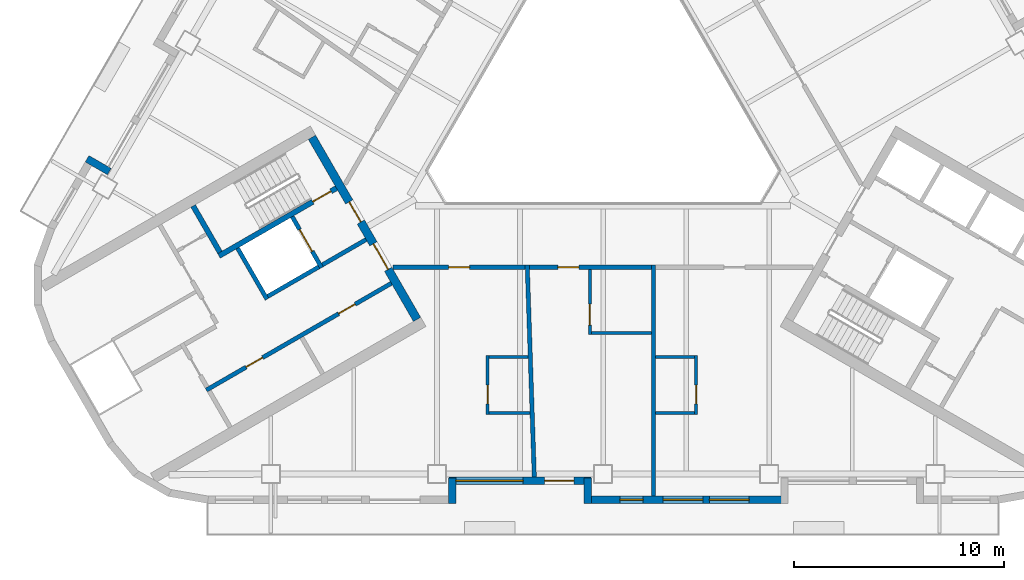
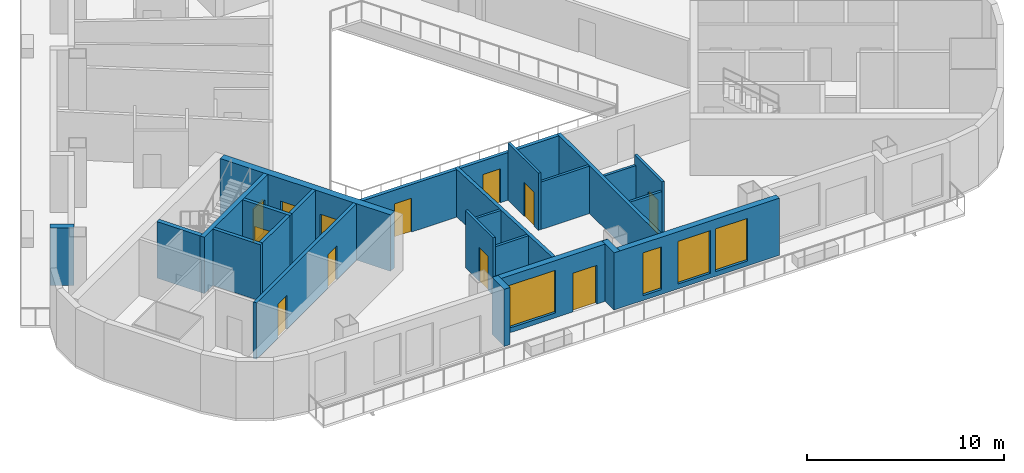
# One storey, part 3 of 13: 25 walls, 12 doors, 4 windows, 16 openings.
"""IFC4 building model written with IfcOpenShell, lengths in metres."""

from ifc_helpers import new_model, si_unit, direction, frame, frame_2d, origin, place, context, subcontext, project, spatial, rectangle, extrude, material, layer, layer_set, type_object, element, fill, save


model = new_model("IFC4")

# Units and contexts
model_context = context("Model", 3, precision=1e-05, world=origin(), true_north=direction((0.0, 1.0)))
body_context = subcontext(model_context, "Body", "Model", "MODEL_VIEW")
ifc_project = project(units=[si_unit("LENGTHUNIT", "METRE"), si_unit("AREAUNIT", "SQUARE_METRE"), si_unit("VOLUMEUNIT", "CUBIC_METRE"), si_unit("PLANEANGLEUNIT", "RADIAN"), si_unit("MASSUNIT", "GRAM", prefix="KILO")], contexts=[model_context])

# Site, building, storey
site_placement = place(None, origin())
site = spatial("IfcSite", under=ifc_project, at=site_placement, CompositionType="ELEMENT")
building_placement = place(site_placement, origin())
building = spatial("IfcBuilding", under=site, at=building_placement, Name="Apuvela Tower Hotel", CompositionType="ELEMENT")
storey_placement = place(building_placement, frame((0.0, 0.0, 94.60009765625)))
storey = spatial("IfcBuildingStorey", under=building, at=storey_placement, Name="L21", CompositionType="ELEMENT", Elevation=94.60009765625)

# Wall, openings, doors
ifc_material_1 = material(Name="Concrete C50/60", Category="concrete")
ifc_layer_1 = layer(ifc_material_1, 0.39990234375)
ifc_layer_set_1 = layer_set([ifc_layer_1], Name="COR-WALL-CORE-400")
wall_type_1 = type_object("IfcWallType", Name="COR-WALL-CORE-400", PredefinedType="SHEAR", material=ifc_layer_set_1)
wall_1_placement = place(storey_placement, frame((-13.844970703125, -2.219970703125, 0.0), z_axis=(0.0, 0.0, 1.0), x_axis=(0.500004234368, -0.866022959057, 0.0)))
wall_1 = element("IfcWall", 1, at=wall_1_placement, inside=storey, type_object=wall_type_1, Name="Core wall SW", PredefinedType="SHEAR", context=body_context, shape_type="SweptSolid", body=[
    extrude(rectangle(XDim=10.0, YDim=0.39990234375, at=frame_2d((5.0, 0.0))), origin(), (0.0, 0.0, 1.0), 3.5),
])
opening_1_placement = place(wall_1_placement, frame((3.550048828125, 0.0, 0.0)))
opening_1 = element("IfcOpeningElement", 2, at=opening_1_placement, cuts=wall_1, Name="Opening W-FD", PredefinedType="OPENING", context=body_context, shape_type="SweptSolid", body=[
    extrude(rectangle(XDim=1.10009765625, YDim=2.10009765625, at=frame_2d((0.550048828125, 1.050048828125))), frame((0.0, 0.2099609375, 0.0), z_axis=(0.0, -1.0, 0.0), x_axis=(1.0, 0.0, 0.0)), (0.0, 0.0, 1.0), 0.419921875),
])
opening_2_placement = place(wall_1_placement, frame((5.85009765625, 0.0, 0.0)))
opening_2 = element("IfcOpeningElement", 3, at=opening_2_placement, cuts=wall_1, Name="Opening W-GD", PredefinedType="OPENING", context=body_context, shape_type="SweptSolid", body=[
    extrude(rectangle(XDim=1.39990234375, YDim=2.10009765625, at=frame_2d((0.699951171875, 1.050048828125))), frame((0.0, 0.2099609375, 0.0), z_axis=(0.0, -1.0, 0.0), x_axis=(1.0, 0.0, 0.0)), (0.0, 0.0, 1.0), 0.419921875),
])
ifc_material_2 = material(Name="Steel fire door, powder coated", Category="steel")
door_type_1 = type_object("IfcDoorType", Name="COR-FD-1100", OperationType="NOTDEFINED", PredefinedType="DOOR", material=ifc_material_2)
door_1_placement = place(opening_1_placement, frame((1.10009765625, 0.0, 0.0), z_axis=(0.0, 0.0, 1.0), x_axis=(-1.0, 0.0, 0.0)))
door_1 = element("IfcDoor", 4, at=door_1_placement, inside=storey, type_object=door_type_1, Name="Firefighting lobby door W-FD", OperationType="SINGLE_SWING_LEFT", OverallHeight=2.10009765625, OverallWidth=1.10009765625, PredefinedType="DOOR", context=body_context, shape_type="SweptSolid", body=[
    extrude(rectangle(XDim=1.10009765625, YDim=2.10009765625, at=frame_2d((0.550048828125, 1.050048828125))), frame((0.0, 0.02490234375, 0.0), z_axis=(0.0, -1.0, 0.0), x_axis=(1.0, 0.0, 0.0)), (0.0, 0.0, 1.0), 0.050048828125),
])
fill(opening_1, door_1)
ifc_material_3 = material(Name="Glazed steel fire door", Category="steel")
door_type_2 = type_object("IfcDoorType", Name="COR-GD-1400", OperationType="DOUBLE_DOOR_SINGLE_SWING", PredefinedType="DOOR", material=ifc_material_3)
door_2_placement = place(opening_2_placement, frame((1.39990234375, 0.0, 0.0), z_axis=(0.0, 0.0, 1.0), x_axis=(-1.0, 0.0, 0.0)))
door_2 = element("IfcDoor", 5, at=door_2_placement, inside=storey, type_object=door_type_2, Name="Lift lobby door W-GD", OperationType="DOUBLE_DOOR_SINGLE_SWING", OverallHeight=2.10009765625, OverallWidth=1.39990234375, PredefinedType="DOOR", context=body_context, shape_type="SweptSolid", body=[
    extrude(rectangle(XDim=1.39990234375, YDim=2.10009765625, at=frame_2d((0.699951171875, 1.050048828125))), frame((0.0, 0.02490234375, 0.0), z_axis=(0.0, -1.0, 0.0), x_axis=(1.0, 0.0, 0.0)), (0.0, 0.0, 1.0), 0.050048828125),
])
fill(opening_2, door_2)

# Wall
ifc_layer_2 = layer(ifc_material_1, 0.199951171875)
ifc_layer_set_2 = layer_set([ifc_layer_2], Name="COR-WALL-SHAFT-200")
wall_type_2 = type_object("IfcWallType", Name="COR-WALL-SHAFT-200", PredefinedType="SHEAR", material=ifc_layer_set_2)
wall_2_placement = place(storey_placement, frame((-17.38134765625, -7.49462890625, 0.0), z_axis=(0.0, 0.0, 1.0), x_axis=(0.500011755427, -0.866018616679, 0.0)))
element("IfcWall", 6, at=wall_2_placement, inside=storey, type_object=wall_type_2, Name="Shaft wall SW", PredefinedType="SHEAR", context=body_context, shape_type="SweptSolid", body=[
    extrude(rectangle(XDim=2.80029296875, YDim=0.199951171875, at=frame_2d((1.400146484375, 0.0))), origin(), (0.0, 0.0, 1.0), 3.5),
])

# Wall, opening, door
wall_3_placement = place(storey_placement, frame((-14.783203125, -5.99462890625, 0.0), z_axis=(0.0, 0.0, 1.0), x_axis=(0.49994636267, -0.866056369097, 0.0)))
wall_3 = element("IfcWall", 7, at=wall_3_placement, inside=storey, type_object=wall_type_2, Name="Shaft wall SW", PredefinedType="SHEAR", context=body_context, shape_type="SweptSolid", body=[
    extrude(rectangle(XDim=2.800048828125, YDim=0.199951171875, at=frame_2d((1.39990234375, 0.0))), origin(), (0.0, 0.0, 1.0), 3.5),
])
opening_3_placement = place(wall_3_placement, frame((0.699951171875, 0.0, 0.0)))
opening_3 = element("IfcOpeningElement", 8, at=opening_3_placement, cuts=wall_3, Name="Opening W-LD-FS2", PredefinedType="OPENING", context=body_context, shape_type="SweptSolid", body=[
    extrude(rectangle(XDim=1.199951171875, YDim=2.10009765625, at=frame_2d((0.60009765625, 1.050048828125))), frame((0.0, 0.10986328125, 0.0), z_axis=(0.0, -1.0, 0.0), x_axis=(1.0, 0.0, 0.0)), (0.0, 0.0, 1.0), 0.219970703125),
])
ifc_material_4 = material(Name="Stainless steel lift landing door", Category="steel")
door_type_3 = type_object("IfcDoorType", Name="COR-LD-1200", OperationType="DOUBLE_DOOR_SLIDING", PredefinedType="DOOR", material=ifc_material_4)
door_3_placement = place(opening_3_placement, origin())
door_3 = element("IfcDoor", 9, at=door_3_placement, inside=storey, type_object=door_type_3, Name="Lift landing door W-LD-FS2", OperationType="DOUBLE_DOOR_SLIDING", OverallHeight=2.10009765625, OverallWidth=1.199951171875, PredefinedType="DOOR", context=body_context, shape_type="SweptSolid", body=[
    extrude(rectangle(XDim=1.199951171875, YDim=2.10009765625, at=frame_2d((0.60009765625, 1.050048828125))), frame((0.0, 0.02490234375, 0.0), z_axis=(0.0, -1.0, 0.0), x_axis=(1.0, 0.0, 0.0)), (0.0, 0.0, 1.0), 0.050048828125),
])
fill(opening_3, door_3)

# Walls
wall_4_placement = place(storey_placement, frame((-13.519775390625, -8.383056640625, 0.0), z_axis=(0.0, 0.0, 1.0), x_axis=(-0.866034573852, -0.49998411664, 0.0)))
element("IfcWall", 10, at=wall_4_placement, inside=storey, type_object=wall_type_2, Name="Shaft wall SW", PredefinedType="SHEAR", context=body_context, shape_type="SweptSolid", body=[
    extrude(rectangle(XDim=2.7998046875, YDim=0.199951171875, at=frame_2d((1.39990234375, 0.0))), origin(), (0.0, 0.0, 1.0), 3.5),
])
wall_5_placement = place(storey_placement, frame((-11.26806640625, -7.0830078125, 0.0), z_axis=(0.0, 0.0, 1.0), x_axis=(-0.866050077142, -0.499957262057, 0.0)))
element("IfcWall", 11, at=wall_5_placement, inside=storey, type_object=wall_type_2, Name="Shaft wall SW", PredefinedType="SHEAR", context=body_context, shape_type="SweptSolid", body=[
    extrude(rectangle(XDim=2.400146484375, YDim=0.199951171875, at=frame_2d((1.2001953125, 0.0))), origin(), (0.0, 0.0, 1.0), 3.5),
])

# Wall, openings, doors
wall_6_placement = place(storey_placement, frame((-10.068115234375, -9.16162109375, 0.0), z_axis=(0.0, 0.0, 1.0), x_axis=(-0.866032725843, -0.499987317609, 0.0)))
wall_6 = element("IfcWall", 12, at=wall_6_placement, inside=storey, type_object=wall_type_2, Name="Shaft wall SW", PredefinedType="SHEAR", context=body_context, shape_type="SweptSolid", body=[
    extrude(rectangle(XDim=10.159912109375, YDim=0.199951171875, at=frame_2d((5.080078125, 0.0))), origin(), (0.0, 0.0, 1.0), 3.5),
])
opening_4_placement = place(wall_6_placement, frame((1.989990234375, 0.0, 0.0)))
opening_4 = element("IfcOpeningElement", 13, at=opening_4_placement, cuts=wall_6, Name="Opening W-RE1", PredefinedType="OPENING", context=body_context, shape_type="SweptSolid", body=[
    extrude(rectangle(XDim=0.89990234375, YDim=2.10009765625, at=frame_2d((0.449951171875, 1.050048828125))), frame((0.0, 0.10986328125, 0.0), z_axis=(0.0, -1.0, 0.0), x_axis=(1.0, 0.0, 0.0)), (0.0, 0.0, 1.0), 0.219970703125),
])
opening_5_placement = place(wall_6_placement, frame((7.070068359375, 0.0, 0.0)))
opening_5 = element("IfcOpeningElement", 14, at=opening_5_placement, cuts=wall_6, Name="Opening W-RE3", PredefinedType="OPENING", context=body_context, shape_type="SweptSolid", body=[
    extrude(rectangle(XDim=0.89990234375, YDim=2.10009765625, at=frame_2d((0.449951171875, 1.050048828125))), frame((0.0, 0.10986328125, 0.0), z_axis=(0.0, -1.0, 0.0), x_axis=(1.0, 0.0, 0.0)), (0.0, 0.0, 1.0), 0.219970703125),
])
door_type_4 = type_object("IfcDoorType", Name="COR-DR-900", OperationType="NOTDEFINED", PredefinedType="DOOR", material=ifc_material_2)
door_4_placement = place(opening_4_placement, origin())
door_4 = element("IfcDoor", 15, at=door_4_placement, inside=storey, type_object=door_type_4, Name="Store door W-RE1", OperationType="SINGLE_SWING_LEFT", OverallHeight=2.10009765625, OverallWidth=0.89990234375, PredefinedType="DOOR", context=body_context, shape_type="SweptSolid", body=[
    extrude(rectangle(XDim=0.89990234375, YDim=2.10009765625, at=frame_2d((0.449951171875, 1.050048828125))), frame((0.0, 0.02490234375, 0.0), z_axis=(0.0, -1.0, 0.0), x_axis=(1.0, 0.0, 0.0)), (0.0, 0.0, 1.0), 0.050048828125),
])
fill(opening_4, door_4)
door_5_placement = place(opening_5_placement, origin())
door_5 = element("IfcDoor", 16, at=door_5_placement, inside=storey, type_object=door_type_4, Name="Store door W-RE3", OperationType="SINGLE_SWING_LEFT", OverallHeight=2.10009765625, OverallWidth=0.89990234375, PredefinedType="DOOR", context=body_context, shape_type="SweptSolid", body=[
    extrude(rectangle(XDim=0.89990234375, YDim=2.10009765625, at=frame_2d((0.449951171875, 1.050048828125))), frame((0.0, 0.02490234375, 0.0), z_axis=(0.0, -1.0, 0.0), x_axis=(1.0, 0.0, 0.0)), (0.0, 0.0, 1.0), 0.050048828125),
])
fill(opening_5, door_5)

# Wall, opening, door
ifc_layer_3 = layer(ifc_material_1, 0.25)
ifc_layer_set_3 = layer_set([ifc_layer_3], Name="COR-WALL-STAIR-250")
wall_type_3 = type_object("IfcWallType", Name="COR-WALL-STAIR-250", PredefinedType="SHEAR", material=ifc_layer_set_3)
wall_7_placement = place(storey_placement, frame((-12.6806640625, -4.636474609375, 0.0), z_axis=(0.0, 0.0, 1.0), x_axis=(-0.866021702275, -0.500006411147, 0.0)))
wall_7 = element("IfcWall", 17, at=wall_7_placement, inside=storey, type_object=wall_type_3, Name="Stair wall SW", PredefinedType="SHEAR", context=body_context, shape_type="SweptSolid", body=[
    extrude(rectangle(XDim=6.4501953125, YDim=0.25, at=frame_2d((3.22509765625, 0.0))), origin(), (0.0, 0.0, 1.0), 3.5),
])
opening_6_placement = place(wall_7_placement, frame((0.300048828125, 0.0, 0.0)))
opening_6 = element("IfcOpeningElement", 18, at=opening_6_placement, cuts=wall_7, Name="Opening W-SD", PredefinedType="OPENING", context=body_context, shape_type="SweptSolid", body=[
    extrude(rectangle(XDim=1.0, YDim=2.10009765625, at=frame_2d((0.5, 1.050048828125))), frame((0.0, 0.135009765625, 0.0), z_axis=(0.0, -1.0, 0.0), x_axis=(1.0, 0.0, 0.0)), (0.0, 0.0, 1.0), 0.27001953125),
])
door_type_5 = type_object("IfcDoorType", Name="COR-SD-1000", OperationType="NOTDEFINED", PredefinedType="DOOR", material=ifc_material_2)
door_6_placement = place(opening_6_placement, frame((1.0, 0.0, 0.0), z_axis=(0.0, 0.0, 1.0), x_axis=(-1.0, 0.0, 0.0)))
door_6 = element("IfcDoor", 19, at=door_6_placement, inside=storey, type_object=door_type_5, Name="Stair door W-SD", OperationType="SINGLE_SWING_LEFT", OverallHeight=2.10009765625, OverallWidth=1.0, PredefinedType="DOOR", context=body_context, shape_type="SweptSolid", body=[
    extrude(rectangle(XDim=1.0, YDim=2.10009765625, at=frame_2d((0.5, 1.050048828125))), frame((0.0, 0.02490234375, 0.0), z_axis=(0.0, -1.0, 0.0), x_axis=(1.0, 0.0, 0.0)), (0.0, 0.0, 1.0), 0.050048828125),
])
fill(opening_6, door_6)

# Walls
wall_8_placement = place(storey_placement, frame((-19.49560546875, -5.482421875, 0.0), z_axis=(0.0, 0.0, 1.0), x_axis=(0.499990435942, -0.866030925526, 0.0)))
element("IfcWall", 20, at=wall_8_placement, inside=storey, type_object=wall_type_3, Name="Stair wall SW", PredefinedType="SHEAR", context=body_context, shape_type="SweptSolid", body=[
    extrude(rectangle(XDim=2.5498046875, YDim=0.25, at=frame_2d((1.27490234375, 0.0))), origin(), (0.0, 0.0, 1.0), 3.5),
])
ifc_material_5 = material(Name="Concrete C40/50, dark pigmented precast panel", Category="concrete")
ifc_layer_4 = layer(ifc_material_5, 0.35009765625)
ifc_layer_set_4 = layer_set([ifc_layer_4], Name="ENV-WALL-350")
wall_type_4 = type_object("IfcWallType", Name="ENV-WALL-350", PredefinedType="SOLIDWALL", material=ifc_layer_set_4)
for number, where, z_axis, x_axis, name in (
    (21, (-23.48095703125, -3.85009765625, 0.0), (0.0, 0.0, 1.0), (-0.866092288191, 0.499884134912, 0.0), "External wall L21-08"),
    (22, (-7.175048828125, -19.6298828125, 0.0), (0.0, 0.0, 1.0), (0.0, 1.0, 0.0), "External wall L21-18"),
):
    element("IfcWall", number, at=place(storey_placement, frame(where, z_axis=z_axis, x_axis=x_axis)), inside=storey, type_object=wall_type_4, Name=name, PredefinedType="SOLIDWALL", context=body_context, shape_type="SweptSolid", body=[
        extrude(rectangle(XDim=1.219970703125, YDim=0.35009765625, at=frame_2d((0.60986328125, 0.0))), origin(), (0.0, 0.0, 1.0), 3.5498046875),
    ])

# Wall, openings, door, window
wall_9_placement = place(storey_placement, frame((-7.320068359375, -18.554931640625, 0.0), z_axis=(0.0, 0.0, 1.0), x_axis=(1.0, 0.0, 0.0)))
wall_9 = element("IfcWall", 23, at=wall_9_placement, inside=storey, type_object=wall_type_4, Name="External wall L21-19", PredefinedType="SOLIDWALL", context=body_context, shape_type="SweptSolid", body=[
    extrude(rectangle(XDim=6.739990234375, YDim=0.35009765625, at=frame_2d((3.3701171875, 0.0))), origin(), (0.0, 0.0, 1.0), 3.5498046875),
])
opening_7_placement = place(wall_9_placement, frame((0.3203125, 0.0, 0.300048828125)))
opening_7 = element("IfcOpeningElement", 24, at=opening_7_placement, cuts=wall_9, Name="Opening WN32", PredefinedType="OPENING", context=body_context, shape_type="SweptSolid", body=[
    extrude(rectangle(XDim=3.199951171875, YDim=2.64990234375, at=frame_2d((1.60009765625, 1.324951171875))), frame((0.0, 0.18505859375, 0.0), z_axis=(0.0, -1.0, 0.0), x_axis=(1.0, 0.0, 0.0)), (0.0, 0.0, 1.0), 0.3701171875),
])
opening_8_placement = place(wall_9_placement, frame((4.534912109375, 0.0, 0.0)))
opening_8 = element("IfcOpeningElement", 25, at=opening_8_placement, cuts=wall_9, Name="Opening BD14", PredefinedType="OPENING", context=body_context, shape_type="SweptSolid", body=[
    extrude(rectangle(XDim=1.39990234375, YDim=2.39990234375, at=frame_2d((0.699951171875, 1.199951171875))), frame((0.0, 0.18505859375, 0.0), z_axis=(0.0, -1.0, 0.0), x_axis=(1.0, 0.0, 0.0)), (0.0, 0.0, 1.0), 0.3701171875),
])
ifc_material_6 = material(Name="Aluminium 6063-T6, dark bronze anodised frame with dark tinted laminated glass", Category="aluminium")
door_type_6 = type_object("IfcDoorType", Name="ENV-DOOR-BALCONY-1400x2400", OperationType="SLIDING_TO_LEFT", PredefinedType="DOOR", material=ifc_material_6)
door_7_placement = place(opening_8_placement, frame((1.39990234375, 0.0, 0.0), z_axis=(0.0, 0.0, 1.0), x_axis=(-1.0, 0.0, 0.0)))
door_7 = element("IfcDoor", 26, at=door_7_placement, inside=storey, type_object=door_type_6, Name="Balcony door BD14", OperationType="SLIDING_TO_LEFT", OverallHeight=2.39990234375, OverallWidth=1.39990234375, PredefinedType="DOOR", context=body_context, shape_type="SweptSolid", body=[
    extrude(rectangle(XDim=1.39990234375, YDim=2.39990234375, at=frame_2d((0.699951171875, 1.199951171875))), frame((0.0, 0.02490234375, 0.0), z_axis=(0.0, -1.0, 0.0), x_axis=(1.0, 0.0, 0.0)), (0.0, 0.0, 1.0), 0.050048828125),
])
fill(opening_8, door_7)
ifc_material_7 = material(Name="Glass, dark tinted laminated insulated glazing unit", Category="glass")
window_type_1 = type_object("IfcWindowType", Name="ENV-WIN-3200x2650", PartitioningType="SINGLE_PANEL", PredefinedType="WINDOW", material=ifc_material_7)
window_1_placement = place(opening_7_placement, origin())
window_1 = element("IfcWindow", 27, at=window_1_placement, inside=storey, type_object=window_type_1, Name="Window WN32", OverallHeight=2.64990234375, OverallWidth=3.199951171875, PartitioningType="SINGLE_PANEL", PredefinedType="WINDOW", context=body_context, shape_type="SweptSolid", body=[
    extrude(rectangle(XDim=3.199951171875, YDim=2.64990234375, at=frame_2d((1.60009765625, 1.324951171875))), frame((0.0, 0.030029296875, 0.0), z_axis=(0.0, -1.0, 0.0), x_axis=(1.0, 0.0, 0.0)), (0.0, 0.0, 1.0), 0.06005859375),
])
fill(opening_7, window_1)

# Wall
wall_10_placement = place(storey_placement, frame((-0.72509765625, -18.409912109375, 0.0), z_axis=(0.0, 0.0, 1.0), x_axis=(0.0, -1.0, 0.0)))
element("IfcWall", 28, at=wall_10_placement, inside=storey, type_object=wall_type_4, Name="External wall L21-20", PredefinedType="SOLIDWALL", context=body_context, shape_type="SweptSolid", body=[
    extrude(rectangle(XDim=1.219970703125, YDim=0.35009765625, at=frame_2d((0.60986328125, 0.0))), origin(), (0.0, 0.0, 1.0), 3.5498046875),
])

# Wall, openings, windows
wall_11_placement = place(storey_placement, frame((-0.89990234375, -19.455078125, 0.0), z_axis=(0.0, 0.0, 1.0), x_axis=(1.0, 0.0, 0.0)))
wall_11 = element("IfcWall", 29, at=wall_11_placement, inside=storey, type_object=wall_type_4, Name="External wall L21-21", PredefinedType="SOLIDWALL", context=body_context, shape_type="SweptSolid", body=[
    extrude(rectangle(XDim=9.699951171875, YDim=0.35009765625, at=frame_2d((4.85009765625, 0.0))), origin(), (0.0, 0.0, 1.0), 3.5498046875),
])
opening_9_placement = place(wall_11_placement, frame((1.7001953125, 0.0, 0.300048828125)))
opening_9 = element("IfcOpeningElement", 30, at=opening_9_placement, cuts=wall_11, Name="Opening WN11", PredefinedType="OPENING", context=body_context, shape_type="SweptSolid", body=[
    extrude(rectangle(XDim=1.10009765625, YDim=2.64990234375, at=frame_2d((0.550048828125, 1.324951171875))), frame((0.0, 0.18505859375, 0.0), z_axis=(0.0, -1.0, 0.0), x_axis=(1.0, 0.0, 0.0)), (0.0, 0.0, 1.0), 0.3701171875),
])
opening_10_placement = place(wall_11_placement, frame((3.75, 0.0, 0.300048828125)))
opening_10 = element("IfcOpeningElement", 31, at=opening_10_placement, cuts=wall_11, Name="Opening WN19", PredefinedType="OPENING", context=body_context, shape_type="SweptSolid", body=[
    extrude(rectangle(XDim=1.89990234375, YDim=2.64990234375, at=frame_2d((0.949951171875, 1.324951171875))), frame((0.0, 0.18505859375, 0.0), z_axis=(0.0, -1.0, 0.0), x_axis=(1.0, 0.0, 0.0)), (0.0, 0.0, 1.0), 0.3701171875),
])
opening_11_placement = place(wall_11_placement, frame((5.949951171875, 0.0, 0.300048828125)))
opening_11 = element("IfcOpeningElement", 32, at=opening_11_placement, cuts=wall_11, Name="Opening WN19", PredefinedType="OPENING", context=body_context, shape_type="SweptSolid", body=[
    extrude(rectangle(XDim=1.89990234375, YDim=2.64990234375, at=frame_2d((0.949951171875, 1.324951171875))), frame((0.0, 0.18505859375, 0.0), z_axis=(0.0, -1.0, 0.0), x_axis=(1.0, 0.0, 0.0)), (0.0, 0.0, 1.0), 0.3701171875),
])
window_type_2 = type_object("IfcWindowType", Name="ENV-WIN-1100x2650", PartitioningType="SINGLE_PANEL", PredefinedType="WINDOW", material=ifc_material_7)
window_2_placement = place(opening_9_placement, origin())
window_2 = element("IfcWindow", 33, at=window_2_placement, inside=storey, type_object=window_type_2, Name="Window WN11", OverallHeight=2.64990234375, OverallWidth=1.10009765625, PartitioningType="SINGLE_PANEL", PredefinedType="WINDOW", context=body_context, shape_type="SweptSolid", body=[
    extrude(rectangle(XDim=1.10009765625, YDim=2.64990234375, at=frame_2d((0.550048828125, 1.324951171875))), frame((0.0, 0.030029296875, 0.0), z_axis=(0.0, -1.0, 0.0), x_axis=(1.0, 0.0, 0.0)), (0.0, 0.0, 1.0), 0.06005859375),
])
fill(opening_9, window_2)
window_type_3 = type_object("IfcWindowType", Name="ENV-WIN-1900x2650", PartitioningType="SINGLE_PANEL", PredefinedType="WINDOW", material=ifc_material_7)
window_3_placement = place(opening_10_placement, origin())
window_3 = element("IfcWindow", 34, at=window_3_placement, inside=storey, type_object=window_type_3, Name="Window WN19", OverallHeight=2.64990234375, OverallWidth=1.89990234375, PartitioningType="SINGLE_PANEL", PredefinedType="WINDOW", context=body_context, shape_type="SweptSolid", body=[
    extrude(rectangle(XDim=1.89990234375, YDim=2.64990234375, at=frame_2d((0.949951171875, 1.324951171875))), frame((0.0, 0.030029296875, 0.0), z_axis=(0.0, -1.0, 0.0), x_axis=(1.0, 0.0, 0.0)), (0.0, 0.0, 1.0), 0.06005859375),
])
fill(opening_10, window_3)
window_4_placement = place(opening_11_placement, origin())
window_4 = element("IfcWindow", 35, at=window_4_placement, inside=storey, type_object=window_type_3, Name="Window WN19", OverallHeight=2.64990234375, OverallWidth=1.89990234375, PartitioningType="SINGLE_PANEL", PredefinedType="WINDOW", context=body_context, shape_type="SweptSolid", body=[
    extrude(rectangle(XDim=1.89990234375, YDim=2.64990234375, at=frame_2d((0.949951171875, 1.324951171875))), frame((0.0, 0.030029296875, 0.0), z_axis=(0.0, -1.0, 0.0), x_axis=(1.0, 0.0, 0.0)), (0.0, 0.0, 1.0), 0.06005859375),
])
fill(opening_11, window_4)

# Walls
ifc_material_8 = material(Name="Gypsum board partition on twin steel stud", Category="steel")
ifc_layer_5 = layer(ifc_material_8, 0.199951171875)
ifc_layer_set_5 = layer_set([ifc_layer_5], Name="GST-PW1")
wall_type_5 = type_object("IfcWallType", Name="GST-PW1", PredefinedType="PARTITIONING", material=ifc_layer_set_5)
wall_12_placement = place(storey_placement, frame((-3.27001953125, -18.3798828125, 0.0), z_axis=(0.0, 0.0, 1.0), x_axis=(-0.03338172908, 0.999442674776, 0.0)))
element("IfcWall", 36, at=wall_12_placement, inside=storey, type_object=wall_type_5, Name="L21 partition 01", PredefinedType="PARTITIONING", context=body_context, shape_type="SweptSolid", body=[
    extrude(rectangle(XDim=10.08544921875, YDim=0.199951171875, at=frame_2d((5.042724609375, 0.0))), origin(), (0.0, 0.0, 1.0), 2.9599609375),
])
wall_13_placement = place(storey_placement, frame((2.39990234375, -19.280029296875, 0.0), z_axis=(0.0, 0.0, 1.0), x_axis=(0.0, 1.0, 0.0)))
element("IfcWall", 37, at=wall_13_placement, inside=storey, type_object=wall_type_5, Name="L21 partition 02", PredefinedType="PARTITIONING", context=body_context, shape_type="SweptSolid", body=[
    extrude(rectangle(XDim=10.97998046875, YDim=0.199951171875, at=frame_2d((5.489990234375, 0.0))), origin(), (0.0, 0.0, 1.0), 2.9599609375),
])

# Wall, opening, door
ifc_material_9 = material(Name="Gypsum board corridor wall on twin steel stud, acoustic", Category="steel")
ifc_layer_6 = layer(ifc_material_9, 0.199951171875)
ifc_layer_set_6 = layer_set([ifc_layer_6], Name="GST-PW2")
wall_type_6 = type_object("IfcWallType", Name="GST-PW2", PredefinedType="PARTITIONING", material=ifc_layer_set_6)
wall_14_placement = place(storey_placement, frame((-3.703369140625, -8.39990234375, 0.0), z_axis=(0.0, 0.0, 1.0), x_axis=(-1.0, 0.0, 0.0)))
wall_14 = element("IfcWall", 38, at=wall_14_placement, inside=storey, type_object=wall_type_6, Name="L21 partition 08", PredefinedType="PARTITIONING", context=body_context, shape_type="SweptSolid", body=[
    extrude(rectangle(XDim=6.284912109375, YDim=0.199951171875, at=frame_2d((3.142578125, 0.0))), origin(), (0.0, 0.0, 1.0), 2.949951171875),
])
opening_12_placement = place(wall_14_placement, frame((2.642333984375, 0.0, 0.0)))
opening_12 = element("IfcOpeningElement", 39, at=opening_12_placement, cuts=wall_14, Name="Opening GD07-02", PredefinedType="OPENING", context=body_context, shape_type="SweptSolid", body=[
    extrude(rectangle(XDim=1.0, YDim=2.10009765625, at=frame_2d((0.5, 1.050048828125))), frame((0.0, 0.10986328125, 0.0), z_axis=(0.0, -1.0, 0.0), x_axis=(1.0, 0.0, 0.0)), (0.0, 0.0, 1.0), 0.219970703125),
])
ifc_material_10 = material(Name="Timber door leaf in steel frame", Category="steel")
door_type_7 = type_object("IfcDoorType", Name="GST-D1", OperationType="NOTDEFINED", PredefinedType="DOOR", material=ifc_material_10)
door_8_placement = place(opening_12_placement, origin())
door_8 = element("IfcDoor", 40, at=door_8_placement, inside=storey, type_object=door_type_7, Name="Door L21-02", OperationType="SINGLE_SWING_LEFT", OverallHeight=2.10009765625, OverallWidth=1.0, PredefinedType="DOOR", context=body_context, shape_type="SweptSolid", body=[
    extrude(rectangle(XDim=1.0, YDim=2.10009765625, at=frame_2d((0.5, 1.050048828125))), frame((0.0, 0.02490234375, 0.0), z_axis=(0.0, -1.0, 0.0), x_axis=(1.0, 0.0, 0.0)), (0.0, 0.0, 1.0), 0.050048828125),
])
fill(opening_12, door_8)

wall_15_placement = place(storey_placement, frame((2.300048828125, -8.39990234375, 0.0), z_axis=(0.0, 0.0, 1.0), x_axis=(-1.0, 0.0, 0.0)))
wall_15 = element("IfcWall", 41, at=wall_15_placement, inside=storey, type_object=wall_type_6, Name="L21 partition 12", PredefinedType="PARTITIONING", context=body_context, shape_type="SweptSolid", body=[
    extrude(rectangle(XDim=5.803466796875, YDim=0.199951171875, at=frame_2d((2.90185546875, 0.0))), origin(), (0.0, 0.0, 1.0), 2.949951171875),
])
opening_13_placement = place(wall_15_placement, frame((3.449951171875, 0.0, 0.0)))
opening_13 = element("IfcOpeningElement", 42, at=opening_13_placement, cuts=wall_15, Name="Opening GD07-04", PredefinedType="OPENING", context=body_context, shape_type="SweptSolid", body=[
    extrude(rectangle(XDim=1.0, YDim=2.10009765625, at=frame_2d((0.5, 1.050048828125))), frame((0.0, 0.10986328125, 0.0), z_axis=(0.0, -1.0, 0.0), x_axis=(1.0, 0.0, 0.0)), (0.0, 0.0, 1.0), 0.219970703125),
])
door_9_placement = place(opening_13_placement, origin())
door_9 = element("IfcDoor", 43, at=door_9_placement, inside=storey, type_object=door_type_7, Name="Door L21-04", OperationType="SINGLE_SWING_RIGHT", OverallHeight=2.10009765625, OverallWidth=1.0, PredefinedType="DOOR", context=body_context, shape_type="SweptSolid", body=[
    extrude(rectangle(XDim=1.0, YDim=2.10009765625, at=frame_2d((0.5, 1.050048828125))), frame((0.0, 0.02490234375, 0.0), z_axis=(0.0, -1.0, 0.0), x_axis=(1.0, 0.0, 0.0)), (0.0, 0.0, 1.0), 0.050048828125),
])
fill(opening_13, door_9)

ifc_material_11 = material(Name="Moisture-resistant gypsum board wet wall on steel stud", Category="steel")
ifc_layer_7 = layer(ifc_material_11, 0.14990234375)
ifc_layer_set_7 = layer_set([ifc_layer_7], Name="GST-PW3")
wall_type_7 = type_object("IfcWallType", Name="GST-PW3", PredefinedType="PARTITIONING", material=ifc_layer_set_7)
wall_16_placement = place(storey_placement, frame((-5.488037109375, -12.60009765625, 0.0), z_axis=(0.0, 0.0, 1.0), x_axis=(0.0, -1.0, 0.0)))
wall_16 = element("IfcWall", 44, at=wall_16_placement, inside=storey, type_object=wall_type_7, Name="L21 partition 09", PredefinedType="PARTITIONING", context=body_context, shape_type="SweptSolid", body=[
    extrude(rectangle(XDim=2.7998046875, YDim=0.14990234375, at=frame_2d((1.39990234375, 0.0))), origin(), (0.0, 0.0, 1.0), 3.5498046875),
])
opening_14_placement = place(wall_16_placement, frame((1.39990234375, 0.0, 0.0)))
opening_14 = element("IfcOpeningElement", 45, at=opening_14_placement, cuts=wall_16, Name="Opening GD07-01", PredefinedType="OPENING", context=body_context, shape_type="SweptSolid", body=[
    extrude(rectangle(XDim=0.89990234375, YDim=2.10009765625, at=frame_2d((0.449951171875, 1.050048828125))), frame((0.0, 0.0849609375, 0.0), z_axis=(0.0, -1.0, 0.0), x_axis=(1.0, 0.0, 0.0)), (0.0, 0.0, 1.0), 0.169921875),
])
door_type_8 = type_object("IfcDoorType", Name="GST-D2", OperationType="NOTDEFINED", PredefinedType="DOOR", material=ifc_material_10)
door_10_placement = place(opening_14_placement, origin())
door_10 = element("IfcDoor", 46, at=door_10_placement, inside=storey, type_object=door_type_8, Name="Door L21-01", OperationType="SINGLE_SWING_RIGHT", OverallHeight=2.10009765625, OverallWidth=0.89990234375, PredefinedType="DOOR", context=body_context, shape_type="SweptSolid", body=[
    extrude(rectangle(XDim=0.89990234375, YDim=2.10009765625, at=frame_2d((0.449951171875, 1.050048828125))), frame((0.0, 0.02490234375, 0.0), z_axis=(0.0, -1.0, 0.0), x_axis=(1.0, 0.0, 0.0)), (0.0, 0.0, 1.0), 0.050048828125),
])
fill(opening_14, door_10)

# Walls
wall_17_placement = place(storey_placement, frame((-5.4130859375, -15.324951171875, 0.0), z_axis=(0.0, 0.0, 1.0), x_axis=(1.0, 0.0, 0.0)))
element("IfcWall", 47, at=wall_17_placement, inside=storey, type_object=wall_type_7, Name="L21 partition 10", PredefinedType="PARTITIONING", context=body_context, shape_type="SweptSolid", body=[
    extrude(rectangle(XDim=1.94091796875, YDim=0.14990234375, at=frame_2d((0.970458984375, 0.0))), origin(), (0.0, 0.0, 1.0), 2.949951171875),
])
wall_18_placement = place(storey_placement, frame((-5.4130859375, -12.675048828125, 0.0), z_axis=(0.0, 0.0, 1.0), x_axis=(1.0, 0.0, 0.0)))
element("IfcWall", 48, at=wall_18_placement, inside=storey, type_object=wall_type_7, Name="L21 partition 11", PredefinedType="PARTITIONING", context=body_context, shape_type="SweptSolid", body=[
    extrude(rectangle(XDim=1.8525390625, YDim=0.14990234375, at=frame_2d((0.92626953125, 0.0))), origin(), (0.0, 0.0, 1.0), 2.949951171875),
])

# Wall, opening, door
wall_19_placement = place(storey_placement, frame((-0.625, -8.5, 0.0), z_axis=(0.0, 0.0, 1.0), x_axis=(0.0, -1.0, 0.0)))
wall_19 = element("IfcWall", 49, at=wall_19_placement, inside=storey, type_object=wall_type_7, Name="L21 partition 13", PredefinedType="PARTITIONING", context=body_context, shape_type="SweptSolid", body=[
    extrude(rectangle(XDim=3.10009765625, YDim=0.14990234375, at=frame_2d((1.550048828125, 0.0))), origin(), (0.0, 0.0, 1.0), 3.5498046875),
])
opening_15_placement = place(wall_19_placement, frame((1.64990234375, 0.0, 0.0)))
opening_15 = element("IfcOpeningElement", 50, at=opening_15_placement, cuts=wall_19, Name="Opening GD07-03", PredefinedType="OPENING", context=body_context, shape_type="SweptSolid", body=[
    extrude(rectangle(XDim=1.0, YDim=2.10009765625, at=frame_2d((0.5, 1.050048828125))), frame((0.0, 0.0849609375, 0.0), z_axis=(0.0, -1.0, 0.0), x_axis=(1.0, 0.0, 0.0)), (0.0, 0.0, 1.0), 0.169921875),
])
door_11_placement = place(opening_15_placement, origin())
door_11 = element("IfcDoor", 51, at=door_11_placement, inside=storey, type_object=door_type_7, Name="Door L21-03", OperationType="SINGLE_SWING_RIGHT", OverallHeight=2.10009765625, OverallWidth=1.0, PredefinedType="DOOR", context=body_context, shape_type="SweptSolid", body=[
    extrude(rectangle(XDim=1.0, YDim=2.10009765625, at=frame_2d((0.5, 1.050048828125))), frame((0.0, 0.02490234375, 0.0), z_axis=(0.0, -1.0, 0.0), x_axis=(1.0, 0.0, 0.0)), (0.0, 0.0, 1.0), 0.050048828125),
])
fill(opening_15, door_11)

# Wall
wall_20_placement = place(storey_placement, frame((-0.550048828125, -11.52490234375, 0.0), z_axis=(0.0, 0.0, 1.0), x_axis=(1.0, 0.0, 0.0)))
element("IfcWall", 52, at=wall_20_placement, inside=storey, type_object=wall_type_7, Name="L21 partition 14", PredefinedType="PARTITIONING", context=body_context, shape_type="SweptSolid", body=[
    extrude(rectangle(XDim=2.85009765625, YDim=0.14990234375, at=frame_2d((1.425048828125, 0.0))), origin(), (0.0, 0.0, 1.0), 2.949951171875),
])

# Wall, opening, door
wall_21_placement = place(storey_placement, frame((4.425048828125, -15.39990234375, 0.0), z_axis=(0.0, 0.0, 1.0), x_axis=(0.0, 1.0, 0.0)))
wall_21 = element("IfcWall", 53, at=wall_21_placement, inside=storey, type_object=wall_type_7, Name="L21 partition 16", PredefinedType="PARTITIONING", context=body_context, shape_type="SweptSolid", body=[
    extrude(rectangle(XDim=2.7998046875, YDim=0.14990234375, at=frame_2d((1.39990234375, 0.0))), origin(), (0.0, 0.0, 1.0), 3.5498046875),
])
opening_16_placement = place(wall_21_placement, frame((0.5, 0.0, 0.0)))
opening_16 = element("IfcOpeningElement", 54, at=opening_16_placement, cuts=wall_21, Name="Opening GD07-05", PredefinedType="OPENING", context=body_context, shape_type="SweptSolid", body=[
    extrude(rectangle(XDim=0.89990234375, YDim=2.10009765625, at=frame_2d((0.449951171875, 1.050048828125))), frame((0.0, 0.0849609375, 0.0), z_axis=(0.0, -1.0, 0.0), x_axis=(1.0, 0.0, 0.0)), (0.0, 0.0, 1.0), 0.169921875),
])
door_12_placement = place(opening_16_placement, origin())
door_12 = element("IfcDoor", 55, at=door_12_placement, inside=storey, type_object=door_type_8, Name="Door L21-05", OperationType="SINGLE_SWING_LEFT", OverallHeight=2.10009765625, OverallWidth=0.89990234375, PredefinedType="DOOR", context=body_context, shape_type="SweptSolid", body=[
    extrude(rectangle(XDim=0.89990234375, YDim=2.10009765625, at=frame_2d((0.449951171875, 1.050048828125))), frame((0.0, 0.02490234375, 0.0), z_axis=(0.0, -1.0, 0.0), x_axis=(1.0, 0.0, 0.0)), (0.0, 0.0, 1.0), 0.050048828125),
])
fill(opening_16, door_12)

# Walls
for number, where, z_axis, x_axis, name in (
    (56, (2.5, -15.324951171875, 0.0), (0.0, 0.0, 1.0), (1.0, 0.0, 0.0), "L21 partition 17"),
    (57, (2.5, -12.675048828125, 0.0), (0.0, 0.0, 1.0), (1.0, 0.0, 0.0), "L21 partition 18"),
):
    element("IfcWall", number, at=place(storey_placement, frame(where, z_axis=z_axis, x_axis=x_axis)), inside=storey, type_object=wall_type_7, Name=name, PredefinedType="PARTITIONING", context=body_context, shape_type="SweptSolid", body=[
        extrude(rectangle(XDim=1.85009765625, YDim=0.14990234375, at=frame_2d((0.925048828125, 0.0))), origin(), (0.0, 0.0, 1.0), 2.949951171875),
    ])

save(model, "model.ifc")
